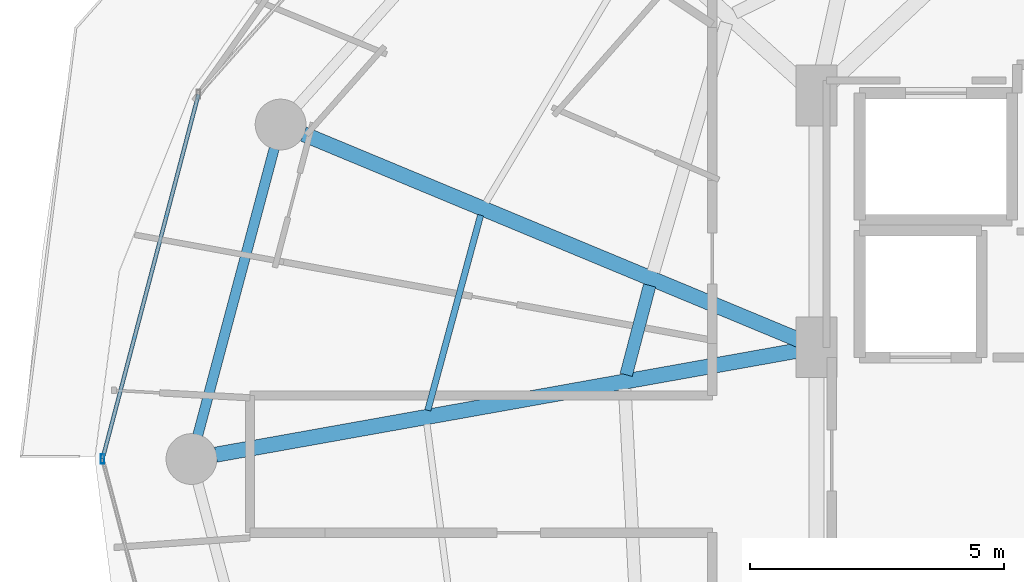
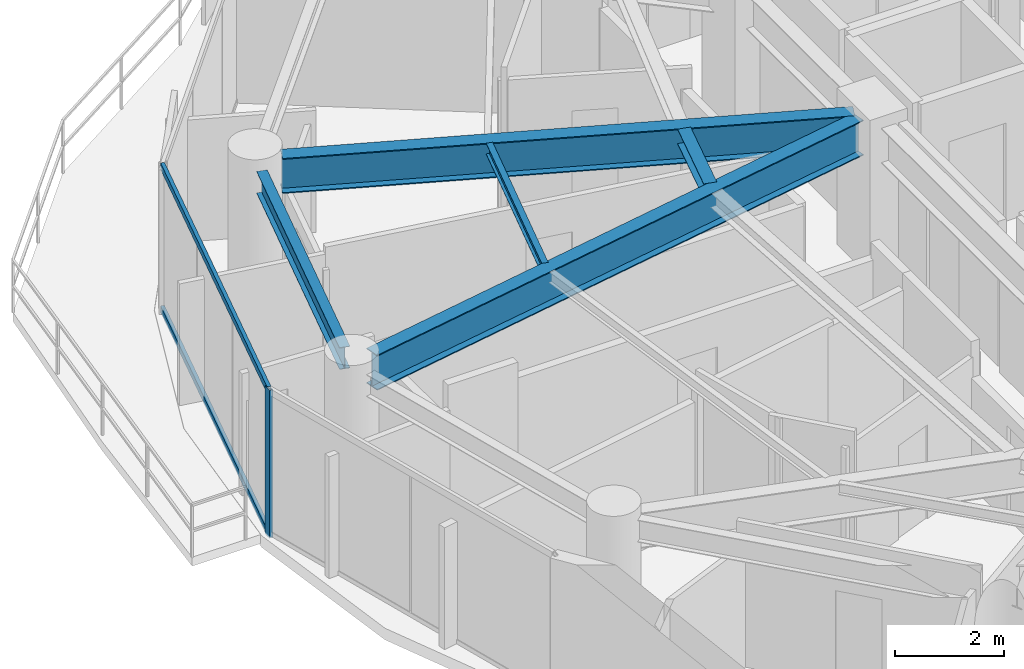
# One storey, part 8 of 30: 5 beams, 3 members, 1 element without a shape of its own.
"""IFC4 building model written with IfcOpenShell, lengths in metres."""

from ifc_helpers import new_model, si_unit, direction, frame, origin, origin_2d, place, context, subcontext, project, spatial, hollow_rectangle, i_section, extrude, material, material_profile, profile_set, type_object, element, aggregate, save


model = new_model("IFC4")

# Units and contexts
model_context = context("Model", 3, precision=1e-05, world=origin(), true_north=direction((0.0, 1.0)))
body_context = subcontext(model_context, "Body", "Model", "MODEL_VIEW")
ifc_project = project(units=[si_unit("LENGTHUNIT", "METRE"), si_unit("AREAUNIT", "SQUARE_METRE"), si_unit("VOLUMEUNIT", "CUBIC_METRE"), si_unit("PLANEANGLEUNIT", "RADIAN"), si_unit("MASSUNIT", "GRAM", prefix="KILO")], contexts=[model_context])

# Site, building, storey
site_placement = place(None, origin())
site = spatial("IfcSite", under=ifc_project, at=site_placement, CompositionType="ELEMENT")
building_placement = place(site_placement, origin())
building = spatial("IfcBuilding", under=site, at=building_placement, Name="Vorneva Point Tower", CompositionType="ELEMENT")
storey_placement = place(building_placement, frame((0.0, 0.0, 153.60009765625)))
storey = spatial("IfcBuildingStorey", under=building, at=storey_placement, Name="L41", CompositionType="ELEMENT", Elevation=153.60009765625)

# Beams
ifc_material_1 = material(Name="Steel S355", Category="steel")
ifc_material_profile_1 = material_profile(ifc_material_1, i_section(OverallWidth=0.300048828125, OverallDepth=0.7880859375, WebThickness=0.014404296875, FlangeThickness=0.02197265625, at=origin_2d()), Name="80Sh1")
ifc_profile_set_1 = profile_set([ifc_material_profile_1], Name="Steel S355")
beam_type_1 = type_object("IfcBeamType", Name="BM-GRD-80Sh1", PredefinedType="USERDEFINED", material=ifc_profile_set_1)
beam_1_placement = place(storey_placement, frame((17.1552734375, 32.39501953125, 2.845947265625), z_axis=(0.923440676596, -0.383741210723, 0.0), x_axis=(0.383741210723, 0.923440676596, 0.0)))
element("IfcBeam", 1, at=beam_1_placement, inside=storey, type_object=beam_type_1, Name="L41 Radial Primary Girder 08", ObjectType="GIRDER", PredefinedType="USERDEFINED", context=body_context, shape_type="SweptSolid", body=[
    extrude(i_section(OverallWidth=0.300048828125, OverallDepth=0.7880859375, WebThickness=0.014404296875, FlangeThickness=0.02197265625, at=origin_2d()), origin(), (0.0, 0.0, 1.0), 10.591552734375),
])
beam_2_placement = place(storey_placement, frame((15.430419921875, 26.0859375, 2.845947265625), z_axis=(0.984378132756, 0.176067293249, 0.0), x_axis=(-0.176067293249, 0.984378132756, 0.0)))
element("IfcBeam", 2, at=beam_2_placement, inside=storey, type_object=beam_type_1, Name="L41 Radial Primary Girder 09", ObjectType="GIRDER", PredefinedType="USERDEFINED", context=body_context, shape_type="SweptSolid", body=[
    extrude(i_section(OverallWidth=0.300048828125, OverallDepth=0.7880859375, WebThickness=0.014404296875, FlangeThickness=0.02197265625, at=origin_2d()), origin(), (0.0, 0.0, 1.0), 11.667236328125),
])
ifc_material_profile_2 = material_profile(ifc_material_1, i_section(OverallWidth=0.1240234375, OverallDepth=0.248046875, WebThickness=0.0048828125, FlangeThickness=0.008056640625, at=origin_2d()), Name="25B1")
ifc_profile_set_2 = profile_set([ifc_material_profile_2], Name="Steel S355")
beam_type_2 = type_object("IfcBeamType", Name="BM-JST-25B1", PredefinedType="JOIST", material=ifc_profile_set_2)
beam_3_placement = place(storey_placement, frame((20.64013671875, 30.798583984375, 3.115966796875), z_axis=(-0.261190338077, -0.96528731852, 0.0), x_axis=(0.96528731852, -0.261190338077, 0.0)))
element("IfcBeam", 3, at=beam_3_placement, inside=storey, type_object=beam_type_2, Name="L41 Secondary Floor Beam 1.08", PredefinedType="JOIST", context=body_context, shape_type="SweptSolid", body=[
    extrude(i_section(OverallWidth=0.1240234375, OverallDepth=0.248046875, WebThickness=0.0048828125, FlangeThickness=0.008056640625, at=origin_2d()), origin(), (0.0, 0.0, 1.0), 3.978271484375),
])
ifc_material_profile_3 = material_profile(ifc_material_1, i_section(OverallWidth=0.2490234375, OverallDepth=0.333984375, WebThickness=0.008056640625, FlangeThickness=0.010986328125, at=origin_2d()), Name="35Sh1")
ifc_profile_set_3 = profile_set([ifc_material_profile_3], Name="Steel S355")
beam_type_3 = type_object("IfcBeamType", Name="BM-SEC-35Sh1", PredefinedType="BEAM", material=ifc_profile_set_3)
beam_4_placement = place(storey_placement, frame((23.966796875, 29.416259765625, 3.072998046875), z_axis=(-0.253984468806, -0.967208296907, 0.0), x_axis=(0.967208296907, -0.253984468806, 0.0)))
element("IfcBeam", 4, at=beam_4_placement, inside=storey, type_object=beam_type_3, Name="L41 Secondary Floor Beam 2.08", PredefinedType="BEAM", context=body_context, shape_type="SweptSolid", body=[
    extrude(i_section(OverallWidth=0.2490234375, OverallDepth=0.333984375, WebThickness=0.008056640625, FlangeThickness=0.010986328125, at=origin_2d()), origin(), (0.0, 0.0, 1.0), 1.818603515625),
])
ifc_material_profile_4 = material_profile(ifc_material_1, i_section(OverallWidth=0.199951171875, OverallDepth=0.491943359375, WebThickness=0.0087890625, FlangeThickness=0.011962890625, at=origin_2d()), Name="50B1")
ifc_profile_set_4 = profile_set([ifc_material_profile_4], Name="Steel S355")
beam_type_4 = type_object("IfcBeamType", Name="BM-SPN-50B1", PredefinedType="SPANDREL", material=ifc_profile_set_4)
beam_5_placement = place(storey_placement, frame((16.57958984375, 32.113525390625, 2.993896484375), z_axis=(-0.257550804648, -0.966264758245, 0.0), x_axis=(0.966264758245, -0.257550804648, 0.0)))
element("IfcBeam", 5, at=beam_5_placement, inside=storey, type_object=beam_type_4, Name="L41 Perimeter Spandrel Ring Beam 08", PredefinedType="SPANDREL", context=body_context, shape_type="SweptSolid", body=[
    extrude(i_section(OverallWidth=0.199951171875, OverallDepth=0.491943359375, WebThickness=0.0087890625, FlangeThickness=0.011962890625, at=origin_2d()), origin(), (0.0, 0.0, 1.0), 5.842041015625),
])

# Curtain wall, members
ifc_material_2 = material(Name="Pale anodised aluminium", Category="aluminium")
curtain_wall_type = type_object("IfcCurtainWallType", Name="CW-RES-SYS", PredefinedType="NOTDEFINED", material=ifc_material_2)
curtain_wall_placement = place(storey_placement, origin())
curtain_wall = element("IfcCurtainWall", 6, at=curtain_wall_placement, inside=storey, type_object=curtain_wall_type, Name="L41 Unitised Curtain Wall CW-L41-R03", PredefinedType="NOTDEFINED")
ifc_material_profile_5 = material_profile(ifc_material_2, hollow_rectangle(XDim=0.074951171875, YDim=0.179931640625, WallThickness=0.00390625, at=origin_2d()), Name="AL-MUL 180x75x4")
ifc_profile_set_5 = profile_set([ifc_material_profile_5], Name="Pale anodised aluminium")
member_type_1 = type_object("IfcMemberType", Name="CW-MUL-180", PredefinedType="MULLION", material=ifc_profile_set_5)
member_1_placement = place(storey_placement, frame((13.199951171875, 26.0, -0.0400390625), z_axis=(0.0, 0.0, 1.0), x_axis=(1.0, 0.0, 0.0)))
member_1 = element("IfcMember", 7, at=member_1_placement, type_object=member_type_1, Name="CW-L41-R03 Mullion 04", PredefinedType="MULLION", context=body_context, shape_type="SweptSolid", body=[
    extrude(hollow_rectangle(XDim=0.074951171875, YDim=0.179931640625, WallThickness=0.00390625, at=origin_2d()), origin(), (0.0, 0.0, 1.0), 3.31005859375),
])
ifc_material_profile_6 = material_profile(ifc_material_2, hollow_rectangle(XDim=0.074951171875, YDim=0.14990234375, WallThickness=0.00390625, at=origin_2d()), Name="AL-TRN 150x75x4")
ifc_profile_set_6 = profile_set([ifc_material_profile_6], Name="Pale anodised aluminium")
member_type_2 = type_object("IfcMemberType", Name="CW-TRN-150", PredefinedType="USERDEFINED", material=ifc_profile_set_6)
member_2_placement = place(storey_placement, frame((15.087890625, 33.17529296875, 0.02001953125), z_axis=(-0.254456046293, -0.967084339913, 0.0), x_axis=(0.967084339913, -0.254456046293, 0.0)))
member_2 = element("IfcMember", 8, at=member_2_placement, type_object=member_type_2, Name="CW-L41-R03 Transom 03.1", ObjectType="TRANSOM", PredefinedType="USERDEFINED", context=body_context, shape_type="SweptSolid", body=[
    extrude(hollow_rectangle(XDim=0.074951171875, YDim=0.14990234375, WallThickness=0.00390625, at=origin_2d()), origin(), (0.0, 0.0, 1.0), 7.41943359375),
])
member_3_placement = place(storey_placement, frame((15.087890625, 33.17529296875, 3.219970703125), z_axis=(-0.254456046293, -0.967084339913, 0.0), x_axis=(0.967084339913, -0.254456046293, 0.0)))
member_3 = element("IfcMember", 9, at=member_3_placement, type_object=member_type_2, Name="CW-L41-R03 Transom 03.2", ObjectType="TRANSOM", PredefinedType="USERDEFINED", context=body_context, shape_type="SweptSolid", body=[
    extrude(hollow_rectangle(XDim=0.074951171875, YDim=0.14990234375, WallThickness=0.00390625, at=origin_2d()), origin(), (0.0, 0.0, 1.0), 7.41943359375),
])
aggregate(curtain_wall, [member_1, member_2, member_3])

save(model, "model.ifc")
